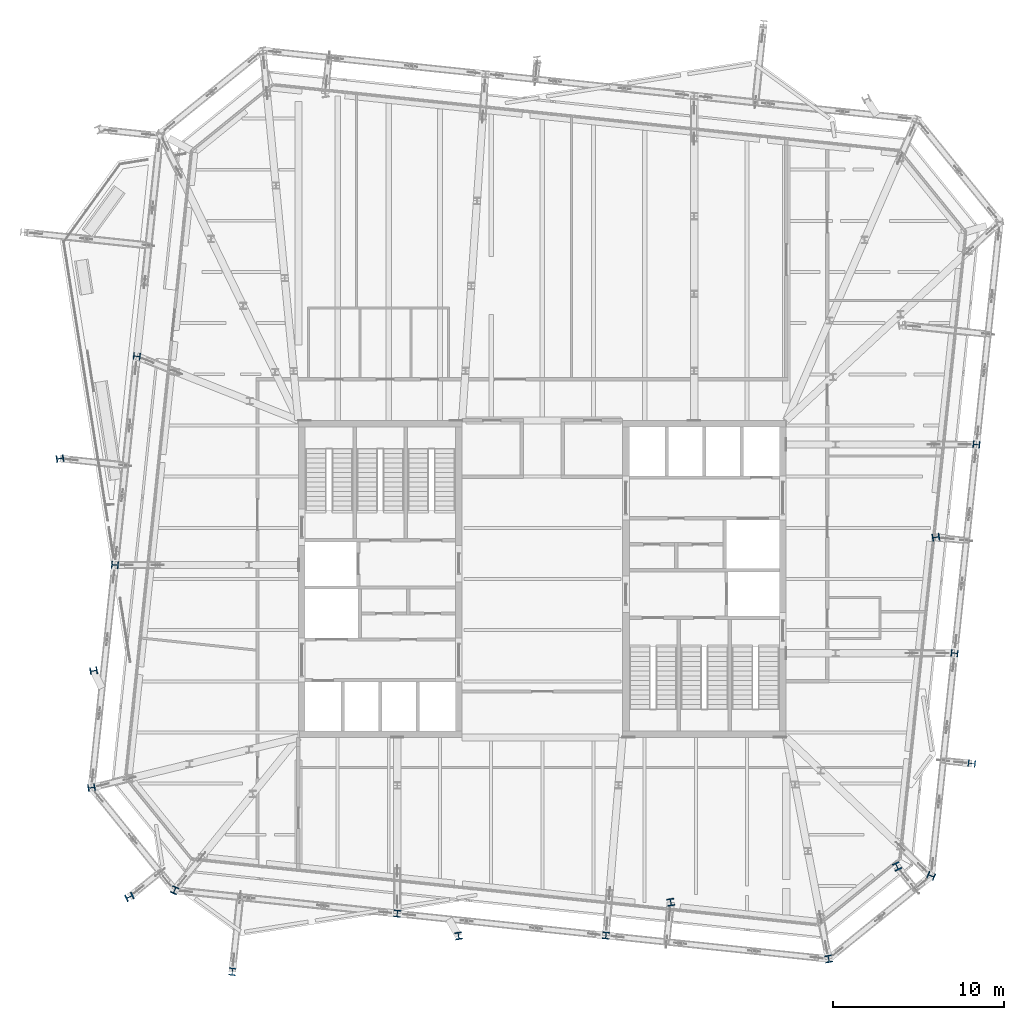
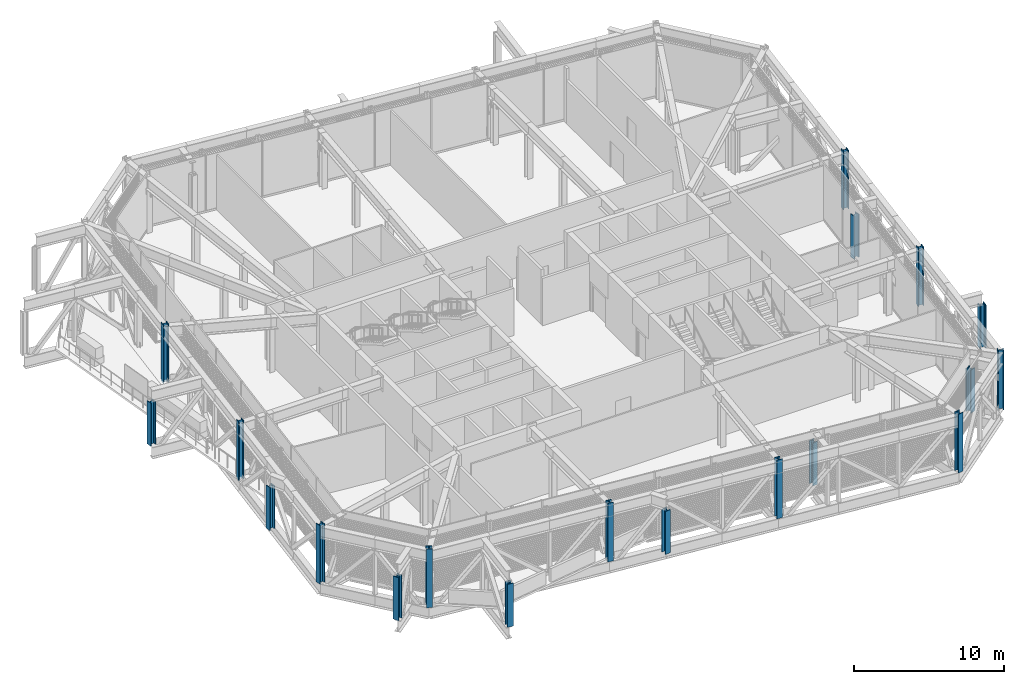
# One storey, part 1 of 36: 19 columns.
"""IFC4 building model written with IfcOpenShell, lengths in metres."""

from ifc_helpers import new_model, si_unit, direction, frame, origin, origin_2d, place, context, subcontext, project, spatial, i_section, extrude, material, material_profile, profile_set, type_object, element, save


model = new_model("IFC4")

# Units and contexts
model_context = context("Model", 3, precision=1e-05, world=origin(), true_north=direction((0.0, 1.0)))
body_context = subcontext(model_context, "Body", "Model", "MODEL_VIEW")
ifc_project = project(units=[si_unit("LENGTHUNIT", "METRE"), si_unit("AREAUNIT", "SQUARE_METRE"), si_unit("VOLUMEUNIT", "CUBIC_METRE"), si_unit("PLANEANGLEUNIT", "RADIAN"), si_unit("MASSUNIT", "GRAM", prefix="KILO")], contexts=[model_context])

# Site, building, storey
site_placement = place(None, origin())
site = spatial("IfcSite", under=ifc_project, at=site_placement, CompositionType="ELEMENT")
building_placement = place(site_placement, origin())
building = spatial("IfcBuilding", under=site, at=building_placement, Name="Millrace Tower", CompositionType="ELEMENT")
storey_placement = place(building_placement, frame((0.0, 0.0, 271.39990234375)))
storey = spatial("IfcBuildingStorey", under=building, at=storey_placement, Name="L62", CompositionType="ELEMENT", Elevation=271.39990234375)

# Columns
ifc_material_1 = material(Name="Steel ASTM A913 Grade 65", Category="steel")
ifc_material_profile_1 = material_profile(ifc_material_1, i_section(OverallWidth=0.4013671875, OverallDepth=0.398681640625, WebThickness=0.02490234375, FlangeThickness=0.03955078125, FilletRadius=0.01513671875, at=origin_2d()))
ifc_profile_set_1 = profile_set([ifc_material_profile_1], Name="Steel ASTM A913 Grade 65")
column_type_1 = type_object("IfcColumnType", Name="Exoskeleton column W14x211", PredefinedType="COLUMN", material=ifc_profile_set_1)
for number, where, z_axis, x_axis, name in (
    (1, (-8.50341796875, -19.62158203125, -0.159912109375), (0.0, 0.0, 1.0), (0.994521897246, -0.104528445407, 0.0), "COL-E-L62-X03"),
    (2, (3.729248046875, -20.9072265625, -0.159912109375), (0.0, 0.0, 1.0), (0.994521897246, -0.104528445407, 0.0), "COL-E-L62-X04"),
    (3, (24.171630859375, -4.353271484375, -0.159912109375), (0.0, 0.0, 1.0), (0.104528445407, 0.994521897246, 0.0), "COL-E-L62-X07"),
    (4, (25.457275390625, 7.879150390625, -0.159912109375), (0.0, 0.0, 1.0), (0.104528445407, 0.994521897246, 0.0), "COL-E-L62-X08"),
    (5, (-23.771484375, 13.053466796875, -0.159912109375), (0.0, 0.0, 1.0), (-0.104528445407, -0.994521897246, 0.0), "COL-E-L62-X15"),
    (6, (-25.057373046875, 0.82080078125, -0.159912109375), (0.0, 0.0, 1.0), (-0.104528445407, -0.994521897246, 0.0), "COL-E-L62-X16"),
):
    element("IfcColumn", number, at=place(storey_placement, frame(where, z_axis=z_axis, x_axis=x_axis)), inside=storey, type_object=column_type_1, Name=name, PredefinedType="COLUMN", context=body_context, shape_type="SweptSolid", body=[
        extrude(i_section(OverallWidth=0.4013671875, OverallDepth=0.398681640625, WebThickness=0.02490234375, FlangeThickness=0.03955078125, FilletRadius=0.01513671875, at=origin_2d()), origin(), (0.0, 0.0, 1.0), 4.760009765625),
    ])
ifc_material_2 = material(Name="Steel ASTM A913 Grade 65", Category="steel")
ifc_material_profile_2 = material_profile(ifc_material_2, i_section(OverallWidth=0.406494140625, OverallDepth=0.41650390625, WebThickness=0.030029296875, FlangeThickness=0.048095703125, FilletRadius=0.01513671875, at=origin_2d()))
ifc_profile_set_2 = profile_set([ifc_material_profile_2], Name="Steel ASTM A913 Grade 65")
column_type_2 = type_object("IfcColumnType", Name="Exoskeleton column W14x257", PredefinedType="COLUMN", material=ifc_profile_set_2)
for number, where, z_axis, x_axis, name in (
    (7, (-26.429443359375, -12.23583984375, -0.159912109375), (0.0, 0.0, 1.0), (0.18038747256, -0.983595628164, 0.0), "COL-E-L62-X01"),
    (8, (-21.559814453125, -18.249267578125, -0.159912109375), (0.0, 0.0, 1.0), (0.92459700658, -0.380946683176, 0.0), "COL-E-L62-X02"),
    (9, (16.78564453125, -22.279541015625, -0.159912109375), (0.0, 0.0, 1.0), (0.983595628164, 0.18038747256, 0.0), "COL-E-L62-X05"),
    (10, (22.79931640625, -17.409912109375, -0.159912109375), (0.0, 0.0, 1.0), (0.380946683176, 0.92459700658, 0.0), "COL-E-L62-X06"),
):
    element("IfcColumn", number, at=place(storey_placement, frame(where, z_axis=z_axis, x_axis=x_axis)), inside=storey, type_object=column_type_2, Name=name, PredefinedType="COLUMN", context=body_context, shape_type="SweptSolid", body=[
        extrude(i_section(OverallWidth=0.406494140625, OverallDepth=0.41650390625, WebThickness=0.030029296875, FlangeThickness=0.048095703125, FilletRadius=0.01513671875, at=origin_2d()), origin(), (0.0, 0.0, 1.0), 4.760009765625),
    ])
ifc_material_3 = material(Name="Steel ASTM A913 Grade 65", Category="steel")
ifc_material_profile_3 = material_profile(ifc_material_3, i_section(OverallWidth=0.408935546875, OverallDepth=0.424072265625, WebThickness=0.03271484375, FlangeThickness=0.052490234375, FilletRadius=0.01513671875, at=origin_2d()))
ifc_profile_set_3 = profile_set([ifc_material_profile_3], Name="Steel ASTM A913 Grade 65")
column_type_3 = type_object("IfcColumnType", Name="Exoskeleton column W14x283", PredefinedType="COLUMN", material=ifc_profile_set_3)
for number, where, z_axis, x_axis, name in (
    (11, (-4.91162109375, -20.927734375, 0.0), (0.0, 0.0, 1.0), (0.987688341035, 0.156434462265, 0.0), "COL-D-L62-X03"),
    (12, (7.533203125, -18.956787109375, 0.0), (0.0, 0.0, 1.0), (0.987688341035, 0.156434462265, 0.0), "COL-D-L62-X04"),
    (13, (23.07763671875, 2.4384765625, 0.0), (0.0, 0.0, 1.0), (-0.156434462265, 0.987688341035, 0.0), "COL-D-L62-X07"),
    (14, (-28.27783203125, 7.0615234375, 0.0), (0.0, 0.0, 1.0), (0.156434462265, -0.987688341035, 0.0), "COL-D-L62-X15"),
    (15, (-26.306640625, -5.38330078125, 0.0), (0.0, 0.0, 1.0), (0.156434462265, -0.987688341035, 0.0), "COL-D-L62-X16"),
):
    element("IfcColumn", number, at=place(storey_placement, frame(where, z_axis=z_axis, x_axis=x_axis)), inside=storey, type_object=column_type_3, Name=name, PredefinedType="COLUMN", context=body_context, shape_type="SweptSolid", body=[
        extrude(i_section(OverallWidth=0.408935546875, OverallDepth=0.424072265625, WebThickness=0.03271484375, FlangeThickness=0.052490234375, FilletRadius=0.01513671875, at=origin_2d()), origin(), (0.0, 0.0, 1.0), 3.49267578125),
    ])
ifc_material_4 = material(Name="Steel ASTM A913 Grade 65", Category="steel")
ifc_material_profile_4 = material_profile(ifc_material_4, i_section(OverallWidth=0.41650390625, OverallDepth=0.444580078125, WebThickness=0.0390625, FlangeThickness=0.062744140625, FilletRadius=0.01513671875, at=origin_2d()))
ifc_profile_set_4 = profile_set([ifc_material_profile_4], Name="Steel ASTM A913 Grade 65")
column_type_4 = type_object("IfcColumnType", Name="Exoskeleton column W14x342", PredefinedType="COLUMN", material=ifc_profile_set_4)
for number, where, z_axis, x_axis, name in (
    (16, (-24.2060546875, -18.646484375, 0.0), (0.0, 0.0, 1.0), (0.418552981224, -0.908192381552, 0.0), "COL-D-L62-X01"),
    (17, (-18.174560546875, -23.0283203125, 0.0), (0.0, 0.0, 1.0), (0.993082267365, -0.117420655103, 0.0), "COL-D-L62-X02"),
    (18, (20.79638671875, -16.85595703125, 0.0), (0.0, 0.0, 1.0), (0.908192381552, 0.418552981224, 0.0), "COL-D-L62-X05"),
    (19, (25.178466796875, -10.82470703125, 0.0), (0.0, 0.0, 1.0), (0.117420655103, 0.993082267365, 0.0), "COL-D-L62-X06"),
):
    element("IfcColumn", number, at=place(storey_placement, frame(where, z_axis=z_axis, x_axis=x_axis)), inside=storey, type_object=column_type_4, Name=name, PredefinedType="COLUMN", context=body_context, shape_type="SweptSolid", body=[
        extrude(i_section(OverallWidth=0.41650390625, OverallDepth=0.444580078125, WebThickness=0.0390625, FlangeThickness=0.062744140625, FilletRadius=0.01513671875, at=origin_2d()), origin(), (0.0, 0.0, 1.0), 3.49267578125),
    ])

save(model, "model.ifc")
